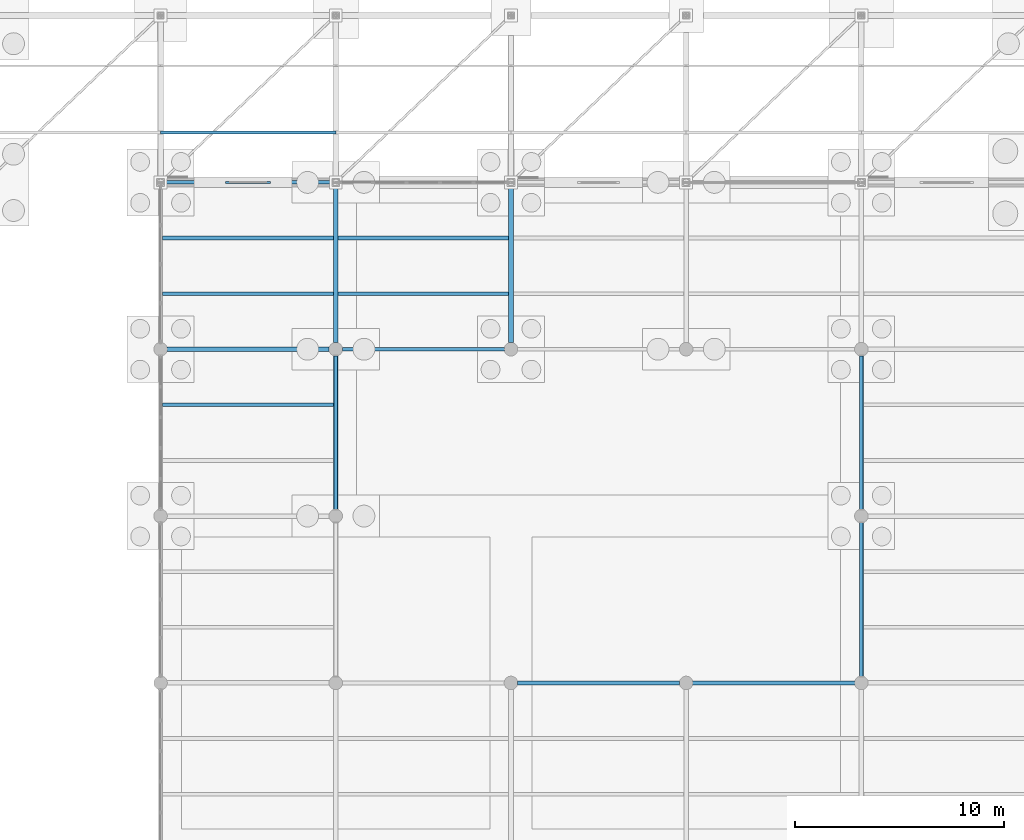
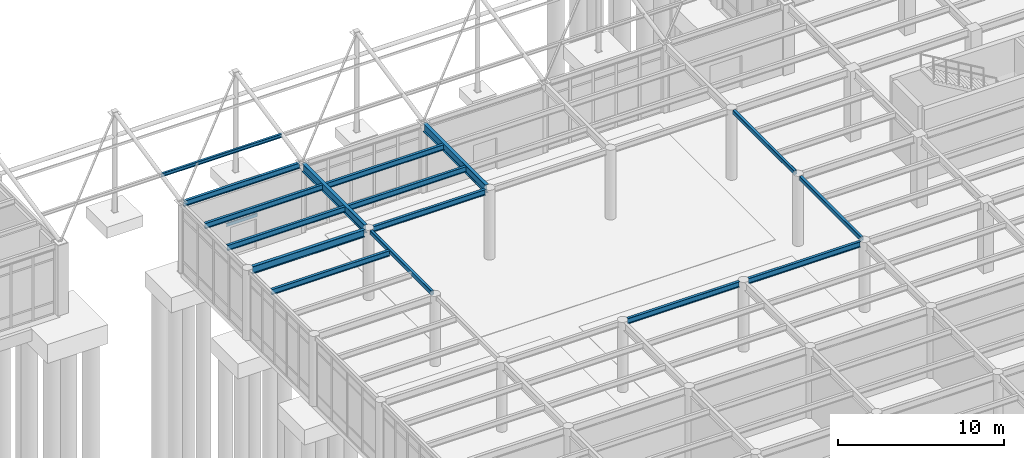
# One storey, part 43 of 138: 16 beams, 1 member.
"""IFC4 building model written with IfcOpenShell, lengths in metres."""

import ifcopenshell
import ifcopenshell.guid

model = None  # the IFC model being written
_history = None  # IfcOwnerHistory: only IFC2X3 demands one
_inside = {}  # id of a spatial element -> (the spatial element, [elements in it])
_under = {}  # id of a project, library or spatial element -> (it, [spatial elements below it])
_declared = {}  # id of a project -> (the project, [libraries it declares])
_typed = {}  # id of a type object -> (the type object, [elements of that type])
_made_of = {}  # id of a material, layer set ... -> (it, [elements and type objects made of it])


def new_model(schema):
    """Start an empty IFC model of exactly this schema.

    Asked for "IFC4X3", IfcOpenShell would pick the latest addendum, in which some entities
    have other attributes; the version numbers below select the first issue.
    IFC2X3 requires an IfcOwnerHistory on every rooted entity: one is made here for all.
    """
    global model, _history
    if schema == "IFC4X3":
        model = ifcopenshell.file(schema_version=(4, 3, 0, 0))
    else:
        model = ifcopenshell.file(schema=schema)
    _inside.clear()
    _under.clear()
    _declared.clear()
    _typed.clear()
    _made_of.clear()
    _history = None
    if model.schema == "IFC2X3":
        org = make("IfcOrganization", Name="unknown")
        user = make(
            "IfcPersonAndOrganization",
            ThePerson=make("IfcPerson", FamilyName="unknown"),
            TheOrganization=org,
        )
        app = make(
            "IfcApplication",
            ApplicationDeveloper=org,
            Version="unknown",
            ApplicationFullName="unknown",
            ApplicationIdentifier="unknown",
        )
        _history = make(
            "IfcOwnerHistory",
            OwningUser=user,
            OwningApplication=app,
            ChangeAction="ADDED",
            CreationDate=0,
        )
    return model


def make(cls, **values):
    """One entity of the class cls with the attributes given. An attribute that is None is left unset."""
    return model.create_entity(
        cls, **{name: value for name, value in values.items() if value is not None}
    )


def rooted(cls, **values):
    """An entity with a GlobalId (a new one), such as an element, a storey or a relation."""
    return make(cls, GlobalId=ifcopenshell.guid.new(), OwnerHistory=_history, **values)


def si_unit(unit_type, name, prefix=None):
    """IfcSIUnit, for example si_unit("LENGTHUNIT", "METRE", prefix="MILLI")."""
    return make("IfcSIUnit", UnitType=unit_type, Prefix=prefix, Name=name)


def assignment(units):
    """IfcUnitAssignment: the units of a project."""
    return None if units is None else make("IfcUnitAssignment", Units=units)


def point(xyz):
    """IfcCartesianPoint."""
    return None if xyz is None else make("IfcCartesianPoint", Coordinates=xyz)


def direction(xyz):
    """IfcDirection."""
    return None if xyz is None else make("IfcDirection", DirectionRatios=xyz)


def frame(location, z_axis=None, x_axis=None):
    """IfcAxis2Placement3D, a coordinate frame: its origin and axes. An axis left out is left unset."""
    return make(
        "IfcAxis2Placement3D",
        Location=point(location),
        Axis=direction(z_axis),
        RefDirection=direction(x_axis),
    )


def frame_2d(location, x_axis=None):
    """IfcAxis2Placement2D, a coordinate frame in the plane: its origin and x axis."""
    return make(
        "IfcAxis2Placement2D", Location=point(location), RefDirection=direction(x_axis)
    )


def origin():
    """The frame at (0, 0, 0) with its axes left unset."""
    return frame((0.0, 0.0, 0.0))


def origin_2d():
    """The frame at (0, 0) in the plane with its x axis left unset."""
    return frame_2d((0.0, 0.0))


def place(relative_to, where):
    """IfcLocalPlacement: puts the frame where relative to a parent placement (None: the world)."""
    return make(
        "IfcLocalPlacement", PlacementRelTo=relative_to, RelativePlacement=where
    )


def context(
    kind, dimensions, precision=None, world=None, true_north=None, identifier=None
):
    """IfcGeometricRepresentationContext, for example the 3D "Model" context."""
    return make(
        "IfcGeometricRepresentationContext",
        ContextIdentifier=identifier,
        ContextType=kind,
        CoordinateSpaceDimension=dimensions,
        Precision=precision,
        WorldCoordinateSystem=world,
        TrueNorth=true_north,
    )


def subcontext(parent, identifier, kind, view, scale=None):
    """IfcGeometricRepresentationSubContext, for example "Body" below "Model"."""
    return make(
        "IfcGeometricRepresentationSubContext",
        ContextIdentifier=identifier,
        ContextType=kind,
        ParentContext=parent,
        TargetScale=scale,
        TargetView=view,
    )


def project(units=None, contexts=None):
    """IfcProject with its units and contexts."""
    return rooted(
        "IfcProject",
        Name="project",
        RepresentationContexts=contexts,
        UnitsInContext=assignment(units),
    )


def spatial(cls, under=None, at=None, **own):
    """A site, building, storey or space (cls), placed at a placement, below another one or the project."""
    s = rooted(cls, ObjectPlacement=at, **own)
    if under is not None:
        _under.setdefault(under.id(), (under, []))[1].append(s)
    return s


def profile(cls, at=None, kind="AREA", **sizes):
    """A parametric profile (cls). Its sizes go by their IFC names, for example OverallWidth=200.0."""
    return make(cls, ProfileType=kind, Position=at, **sizes)


def hollow_rectangle(**sizes):
    """IfcRectangleHollowProfileDef."""
    return profile("IfcRectangleHollowProfileDef", **sizes)


def i_section(**sizes):
    """IfcIShapeProfileDef."""
    return profile("IfcIShapeProfileDef", **sizes)


def u_section(**sizes):
    """IfcUShapeProfileDef."""
    return profile("IfcUShapeProfileDef", **sizes)


def extrude(swept, where, along, depth):
    """IfcExtrudedAreaSolid: the profile swept, set in the frame where, extruded along a direction by depth."""
    return make(
        "IfcExtrudedAreaSolid",
        SweptArea=swept,
        Position=where,
        ExtrudedDirection=direction(along),
        Depth=depth,
    )


def shape(context_of_items, identifier, shape_type, items):
    """IfcShapeRepresentation: the items that make up one representation, for example the "Body"."""
    return make(
        "IfcShapeRepresentation",
        ContextOfItems=context_of_items,
        RepresentationIdentifier=identifier,
        RepresentationType=shape_type,
        Items=items,
    )


def material(Name=None, Category=None):
    """IfcMaterial."""
    return make("IfcMaterial", Name=Name, Category=Category)


def material_profile(
    of_material, cross_section, Name=None, Category=None, Priority=None
):
    """IfcMaterialProfile: a cross section and its material."""
    return make(
        "IfcMaterialProfile",
        Name=Name,
        Material=of_material,
        Profile=cross_section,
        Priority=Priority,
        Category=Category,
    )


def profile_set(profiles, Name=None, composite=None):
    """IfcMaterialProfileSet."""
    return make(
        "IfcMaterialProfileSet",
        Name=Name,
        MaterialProfiles=profiles,
        CompositeProfile=composite,
    )


def made_of(thing, what):
    """Note that an element or type object is made of a material, layer set ...; save() writes the relation."""
    if what is not None:
        _made_of.setdefault(what.id(), (what, []))[1].append(thing)
    return thing


def type_object(cls, material=None, **own):
    """A type object (cls), such as IfcWallType, which elements share."""
    return made_of(rooted(cls, **own), material)


def element(
    cls,
    number,
    at=None,
    inside=None,
    cuts=None,
    type_object=None,
    material=None,
    context=None,
    identifier="Body",
    shape_type=None,
    held_by="IfcProductDefinitionShape",
    body=None,
    shapes=None,
    **own,
):
    """One element of the class cls, such as IfcWall. Its Tag is "e" and its number.

    at: its placement. inside: the storey or other place that contains it. cuts: it is an
    opening in that element (IfcRelVoidsElement). A single representation is given by context,
    identifier, shape_type and body (its items); several are given by shapes. held_by: the class
    of the entity that holds the representations. save() writes the other relations.
    """
    e = rooted(cls, Tag="e%d" % number, ObjectPlacement=at, **own)
    if body is not None:
        shapes = [shape(context, identifier, shape_type, body)]
    if shapes is not None:
        e.Representation = make(held_by, Representations=shapes)
    if inside is not None:
        _inside.setdefault(inside.id(), (inside, []))[1].append(e)
    if cuts is not None:
        rooted(
            "IfcRelVoidsElement", RelatingBuildingElement=cuts, RelatedOpeningElement=e
        )
    if type_object is not None:
        _typed.setdefault(type_object.id(), (type_object, []))[1].append(e)
    return made_of(e, material)


def aggregate(whole, parts):
    """IfcRelAggregates: a whole, such as a stair, and the parts it consists of."""
    return rooted("IfcRelAggregates", RelatingObject=whole, RelatedObjects=parts)


def save(model, path):
    """Write the relations noted so far, then the file.

    IfcRelAggregates (storeys below a building ...), IfcRelContainedInSpatialStructure (elements
    in a storey), IfcRelDefinesByType, IfcRelAssociatesMaterial and IfcRelDeclares: one each for
    every whole, place, type object, material and project.
    """
    for whole, parts in _under.values():
        aggregate(whole, parts)
    for where, things in _inside.values():
        rooted(
            "IfcRelContainedInSpatialStructure",
            RelatedElements=things,
            RelatingStructure=where,
        )
    for kind, things in _typed.values():
        rooted("IfcRelDefinesByType", RelatedObjects=things, RelatingType=kind)
    for what, things in _made_of.values():
        rooted("IfcRelAssociatesMaterial", RelatedObjects=things, RelatingMaterial=what)
    for by, libraries in _declared.values():
        rooted("IfcRelDeclares", RelatingContext=by, RelatedDefinitions=libraries)
    model.write(path)


model = new_model("IFC4")

# Units and contexts
model_context = context("Model", 3, precision=1e-05, world=origin(), true_north=direction((0.0, 1.0)))
body_context = subcontext(model_context, "Body", "Model", "MODEL_VIEW")
ifc_project = project(units=[si_unit("LENGTHUNIT", "METRE"), si_unit("AREAUNIT", "SQUARE_METRE"), si_unit("VOLUMEUNIT", "CUBIC_METRE"), si_unit("PLANEANGLEUNIT", "RADIAN"), si_unit("MASSUNIT", "GRAM", prefix="KILO")], contexts=[model_context])

# Site, building, storey
site_placement = place(None, origin())
site = spatial("IfcSite", under=ifc_project, at=site_placement, CompositionType="ELEMENT")
building_placement = place(site_placement, origin())
building = spatial("IfcBuilding", under=site, at=building_placement, Name="Kranzveld Transit Interchange", CompositionType="ELEMENT")
storey_placement = place(building_placement, origin())
storey = spatial("IfcBuildingStorey", under=building, at=storey_placement, Name="L00", CompositionType="ELEMENT", Elevation=0.0)

# Member
ifc_material_1 = material(Name="Steel S355JR", Category="steel")
ifc_material_profile_1 = material_profile(ifc_material_1, i_section(OverallWidth=0.146484375, OverallDepth=0.256103515625, WebThickness=0.00634765625, FlangeThickness=0.010986328125, FilletRadius=0.007568359375, at=origin_2d()), Name="UB 254x146x37")
ifc_profile_set_1 = profile_set([ifc_material_profile_1], Name="Steel S355JR")
member_type = type_object("IfcMemberType", Name="Canopy Purlin UB 254x146x37 S355JR", PredefinedType="PURLIN", material=ifc_profile_set_1)
member_placement = place(storey_placement, frame((58.800048828125, 90.39990234375, 5.6240234375), z_axis=(1.0, 0.0, 0.0), x_axis=(0.0, 1.0, 0.0)))
element("IfcMember", 1, at=member_placement, inside=storey, type_object=member_type, Name="Forecourt Canopy Purlin 08.1", PredefinedType="PURLIN", context=body_context, shape_type="SweptSolid", body=[
    extrude(i_section(OverallWidth=0.146484375, OverallDepth=0.256103515625, WebThickness=0.00634765625, FlangeThickness=0.010986328125, FilletRadius=0.007568359375, at=origin_2d()), origin(), (0.0, 0.0, 1.0), 8.39990234375),
])

# Beams
ifc_material_2 = material(Name="Steel S355JR", Category="steel")
ifc_material_profile_2 = material_profile(ifc_material_2, hollow_rectangle(XDim=0.199951171875, YDim=0.300048828125, WallThickness=0.010009765625, InnerFilletRadius=0.014892578125, OuterFilletRadius=0.02490234375, at=origin_2d()), Name="RHS 300x200x10")
ifc_profile_set_2 = profile_set([ifc_material_profile_2], Name="Steel S355JR")
beam_type_1 = type_object("IfcBeamType", Name="Edge Spandrel RHS 300x200x10 S355JR", PredefinedType="SPANDREL", material=ifc_profile_set_2)
for number, where, z_axis, x_axis, name in (
    (2, (67.199951171875, 72.31494140625, 5.0), (0.0, 1.0, 0.0), (-1.0, 0.0, 0.0), "L00 Girder 09/K-L"),
    (3, (92.39990234375, 64.31494140625, 5.0), (0.0, 1.0, 0.0), (-1.0, 0.0, 0.0), "L00 Girder 12/J-K"),
    (4, (92.39990234375, 72.31494140625, 5.0), (0.0, 1.0, 0.0), (-1.0, 0.0, 0.0), "L00 Girder 12/K-L"),
):
    element("IfcBeam", number, at=place(storey_placement, frame(where, z_axis=z_axis, x_axis=x_axis)), inside=storey, type_object=beam_type_1, Name=name, PredefinedType="SPANDREL", context=body_context, shape_type="SweptSolid", body=[
        extrude(hollow_rectangle(XDim=0.199951171875, YDim=0.300048828125, WallThickness=0.010009765625, InnerFilletRadius=0.014892578125, OuterFilletRadius=0.02490234375, at=origin_2d()), origin(), (0.0, 0.0, 1.0), 7.3701171875),
    ])
ifc_material_3 = material(Name="Steel S355JR", Category="steel")
ifc_material_profile_3 = material_profile(ifc_material_3, i_section(OverallWidth=0.1787109375, OverallDepth=0.409423828125, WebThickness=0.0087890625, FlangeThickness=0.014404296875, FilletRadius=0.01025390625, at=origin_2d()), Name="UB 406x178x67")
ifc_profile_set_3 = profile_set([ifc_material_profile_3], Name="Steel S355JR")
beam_type_2 = type_object("IfcBeamType", Name="Facade Spandrel UB 406x178x67 S355JR", PredefinedType="SPANDREL", material=ifc_profile_set_3)
for number, where, z_axis, x_axis, name in (
    (5, (75.9150390625, 64.0, 4.9453125), (1.0, 0.0, 0.0), (0.0, 1.0, 0.0), "L00 Girder 10-11/J"),
    (6, (84.31494140625, 64.0, 4.9453125), (1.0, 0.0, 0.0), (0.0, 1.0, 0.0), "L00 Girder 11-12/J"),
    (7, (67.514892578125, 80.0, 4.9453125), (1.0, 0.0, 0.0), (0.0, 1.0, 0.0), "L00 Girder 09-10/L"),
):
    element("IfcBeam", number, at=place(storey_placement, frame(where, z_axis=z_axis, x_axis=x_axis)), inside=storey, type_object=beam_type_2, Name=name, PredefinedType="SPANDREL", context=body_context, shape_type="SweptSolid", body=[
        extrude(i_section(OverallWidth=0.1787109375, OverallDepth=0.409423828125, WebThickness=0.0087890625, FlangeThickness=0.014404296875, FilletRadius=0.01025390625, at=origin_2d()), origin(), (0.0, 0.0, 1.0), 7.77001953125),
    ])
beam_1_placement = place(storey_placement, frame((58.9677734375, 88.0, 4.9453125), z_axis=(1.0, 0.0, 0.0), x_axis=(0.0, 1.0, 0.0)))
element("IfcBeam", 8, at=beam_1_placement, inside=storey, type_object=beam_type_2, Name="L00 Girder 08-09/M", PredefinedType="SPANDREL", context=body_context, shape_type="SweptSolid", body=[
    extrude(i_section(OverallWidth=0.1787109375, OverallDepth=0.409423828125, WebThickness=0.0087890625, FlangeThickness=0.014404296875, FilletRadius=0.01025390625, at=origin_2d()), origin(), (0.0, 0.0, 1.0), 8.064453125),
])
ifc_material_4 = material(Name="Steel S355JR", Category="steel")
ifc_material_profile_4 = material_profile(ifc_material_4, i_section(OverallWidth=0.177734375, OverallDepth=0.402587890625, WebThickness=0.0078125, FlangeThickness=0.010986328125, FilletRadius=0.01025390625, at=origin_2d()), Name="UB 406x178x54")
ifc_profile_set_4 = profile_set([ifc_material_profile_4], Name="Steel S355JR")
beam_type_3 = type_object("IfcBeamType", Name="Floor Joist UB 406x178x54 S355JR", PredefinedType="JOIST", material=ifc_profile_set_4)
beam_2_placement = place(storey_placement, frame((58.902099609375, 77.333251953125, 4.94873046875), z_axis=(1.0, 0.0, 0.0), x_axis=(0.0, 1.0, 0.0)))
element("IfcBeam", 9, at=beam_2_placement, inside=storey, type_object=beam_type_3, Name="L00 Secondary Joist 08-09/K.2", PredefinedType="JOIST", context=body_context, shape_type="SweptSolid", body=[
    extrude(i_section(OverallWidth=0.177734375, OverallDepth=0.402587890625, WebThickness=0.0078125, FlangeThickness=0.010986328125, FilletRadius=0.01025390625, at=origin_2d()), origin(), (0.0, 0.0, 1.0), 8.19580078125),
])
for number, where, z_axis, x_axis, name in (
    (10, (58.902099609375, 82.666748046875, 4.94873046875), (1.0, 0.0, 0.0), (0.0, 1.0, 0.0), "L00 Secondary Joist 08-09/L.1"),
    (11, (58.902099609375, 85.333251953125, 4.94873046875), (1.0, 0.0, 0.0), (0.0, 1.0, 0.0), "L00 Secondary Joist 08-09/L.2"),
):
    element("IfcBeam", number, at=place(storey_placement, frame(where, z_axis=z_axis, x_axis=x_axis)), inside=storey, type_object=beam_type_3, Name=name, PredefinedType="JOIST", context=body_context, shape_type="SweptSolid", body=[
        extrude(i_section(OverallWidth=0.177734375, OverallDepth=0.402587890625, WebThickness=0.0078125, FlangeThickness=0.010986328125, FilletRadius=0.01025390625, at=origin_2d()), origin(), (0.0, 0.0, 1.0), 8.181884765625),
    ])
for number, where, z_axis, x_axis, name in (
    (12, (67.316162109375, 82.666748046875, 4.94873046875), (1.0, 0.0, 0.0), (0.0, 1.0, 0.0), "L00 Secondary Joist 09-10/L.1"),
    (13, (67.316162109375, 85.333251953125, 4.94873046875), (1.0, 0.0, 0.0), (0.0, 1.0, 0.0), "L00 Secondary Joist 09-10/L.2"),
):
    element("IfcBeam", number, at=place(storey_placement, frame(where, z_axis=z_axis, x_axis=x_axis)), inside=storey, type_object=beam_type_3, Name=name, PredefinedType="JOIST", context=body_context, shape_type="SweptSolid", body=[
        extrude(i_section(OverallWidth=0.177734375, OverallDepth=0.402587890625, WebThickness=0.0078125, FlangeThickness=0.010986328125, FilletRadius=0.01025390625, at=origin_2d()), origin(), (0.0, 0.0, 1.0), 8.167724609375),
    ])
ifc_material_5 = material(Name="Steel S355JR", Category="steel")
ifc_material_profile_5 = material_profile(ifc_material_5, i_section(OverallWidth=0.2119140625, OverallDepth=0.54443359375, WebThickness=0.0126953125, FlangeThickness=0.021240234375, FilletRadius=0.0126953125, at=origin_2d()), Name="UB 533x210x122")
ifc_profile_set_5 = profile_set([ifc_material_profile_5], Name="Steel S355JR")
beam_type_4 = type_object("IfcBeamType", Name="Girder Steel UB 533x210x122 S355JR", PredefinedType="BEAM", material=ifc_profile_set_5)
beam_3_placement = place(storey_placement, frame((59.114990234375, 80.0, 4.877685546875), z_axis=(1.0, 0.0, 0.0), x_axis=(0.0, 1.0, 0.0)))
element("IfcBeam", 14, at=beam_3_placement, inside=storey, type_object=beam_type_4, Name="L00 Girder 08-09/L", PredefinedType="BEAM", context=body_context, shape_type="SweptSolid", body=[
    extrude(i_section(OverallWidth=0.2119140625, OverallDepth=0.54443359375, WebThickness=0.0126953125, FlangeThickness=0.021240234375, FilletRadius=0.0126953125, at=origin_2d()), origin(), (0.0, 0.0, 1.0), 7.77001953125),
])
ifc_material_6 = material(Name="Steel S355JR", Category="steel")
ifc_material_profile_6 = material_profile(ifc_material_6, i_section(OverallWidth=0.228271484375, OverallDepth=0.607666015625, WebThickness=0.010986328125, FlangeThickness=0.017333984375, FilletRadius=0.0126953125, at=origin_2d()), Name="UB 610x229x113")
ifc_profile_set_6 = profile_set([ifc_material_profile_6], Name="Steel S355JR")
beam_type_5 = type_object("IfcBeamType", Name="Girder Steel UB 610x229x113 S355JR", PredefinedType="BEAM", material=ifc_profile_set_6)
for number, where, z_axis, x_axis, name in (
    (15, (67.199951171875, 80.31494140625, 4.84619140625), (0.0, 1.0, 0.0), (-1.0, 0.0, 0.0), "L00 Girder 09/L-M"),
    (16, (75.60009765625, 80.31494140625, 4.84619140625), (0.0, 1.0, 0.0), (-1.0, 0.0, 0.0), "L00 Girder 10/L-M"),
):
    element("IfcBeam", number, at=place(storey_placement, frame(where, z_axis=z_axis, x_axis=x_axis)), inside=storey, type_object=beam_type_5, Name=name, PredefinedType="BEAM", context=body_context, shape_type="SweptSolid", body=[
        extrude(i_section(OverallWidth=0.228271484375, OverallDepth=0.607666015625, WebThickness=0.010986328125, FlangeThickness=0.017333984375, FilletRadius=0.0126953125, at=origin_2d()), origin(), (0.0, 0.0, 1.0), 7.517333984375),
    ])
ifc_material_7 = material(Name="Steel S355JR", Category="steel")
ifc_material_profile_7 = material_profile(ifc_material_7, u_section(Depth=0.22998046875, FlangeWidth=0.090087890625, WebThickness=0.007568359375, FlangeThickness=0.013916015625, FilletRadius=0.011962890625, at=origin_2d()), Name="PFC 230x90x32")
ifc_profile_set_7 = profile_set([ifc_material_profile_7], Name="Steel S355JR")
beam_type_6 = type_object("IfcBeamType", Name="Masonry Lintel PFC 230x90x32 S355JR", PredefinedType="LINTEL", material=ifc_profile_set_7)
beam_4_placement = place(storey_placement, frame((61.919921875, 88.0, 2.320068359375), z_axis=(1.0, 0.0, 0.0), x_axis=(0.0, 1.0, 0.0)))
element("IfcBeam", 17, at=beam_4_placement, inside=storey, type_object=beam_type_6, Name="L00 Entrance Door Lintel 004", PredefinedType="LINTEL", context=body_context, shape_type="SweptSolid", body=[
    extrude(u_section(Depth=0.22998046875, FlangeWidth=0.090087890625, WebThickness=0.007568359375, FlangeThickness=0.013916015625, FilletRadius=0.011962890625, at=origin_2d()), origin(), (0.0, 0.0, 1.0), 2.16015625),
])

save(model, "model.ifc")
